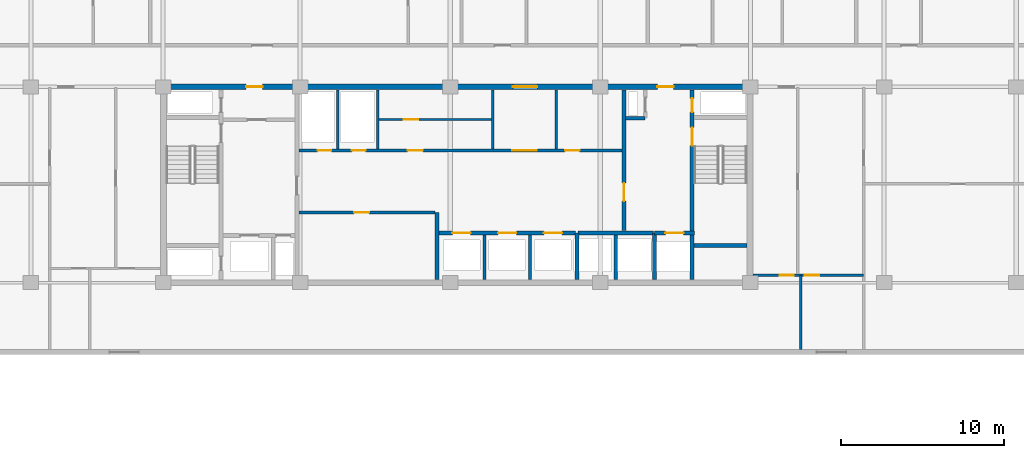
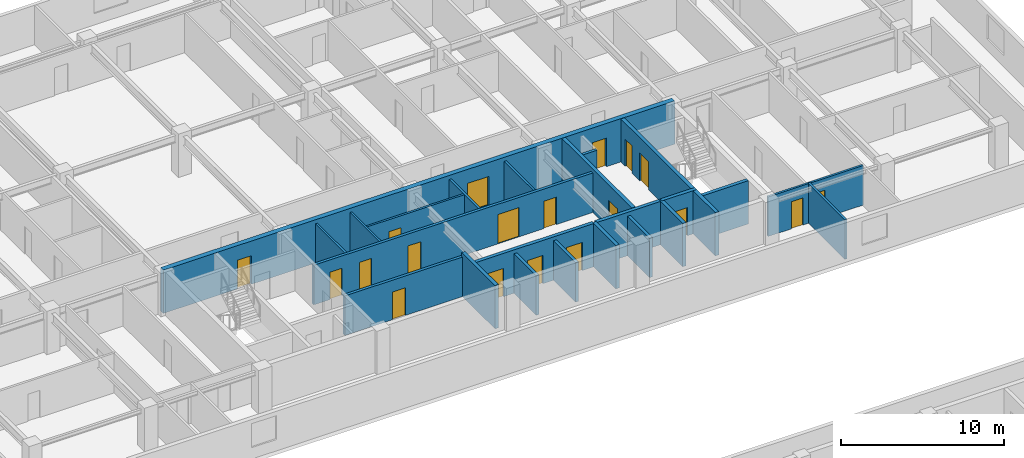
# One storey, part 11 of 21: 23 walls, 19 doors, 19 openings.
"""IFC4 building model written with IfcOpenShell, lengths in metres."""

from ifc_helpers import new_model, si_unit, direction, frame, frame_2d, origin, place, context, subcontext, project, spatial, rectangle, extrude, material, layer, layer_set, type_object, element, fill, save


model = new_model("IFC4")

# Units and contexts
model_context = context("Model", 3, precision=1e-05, world=origin(), true_north=direction((0.0, 1.0)))
body_context = subcontext(model_context, "Body", "Model", "MODEL_VIEW")
ifc_project = project(units=[si_unit("LENGTHUNIT", "METRE"), si_unit("AREAUNIT", "SQUARE_METRE"), si_unit("VOLUMEUNIT", "CUBIC_METRE"), si_unit("PLANEANGLEUNIT", "RADIAN"), si_unit("MASSUNIT", "GRAM", prefix="KILO")], contexts=[model_context])

# Site, building, storey
site_placement = place(None, origin())
site = spatial("IfcSite", under=ifc_project, at=site_placement, CompositionType="ELEMENT")
building_placement = place(site_placement, origin())
building = spatial("IfcBuilding", under=site, at=building_placement, Name="Korimba Cascade Residences", CompositionType="ELEMENT")
storey_placement = place(building_placement, frame((0.0, 0.0, 113.300048828125)))
storey = spatial("IfcBuildingStorey", under=building, at=storey_placement, Name="L32", CompositionType="ELEMENT", Elevation=113.300048828125)

# Wall, openings, doors
ifc_material_1 = material(Name="Concrete C65/80", Category="concrete")
ifc_layer_1 = layer(ifc_material_1, 0.35009765625)
ifc_layer_set_1 = layer_set([ifc_layer_1], Name="Concrete C65/80")
wall_type_1 = type_object("IfcWallType", Name="WAL-CORE-350", PredefinedType="SHEAR", material=ifc_layer_set_1)
wall_1_placement = place(storey_placement, frame((75.949951171875, 67.199951171875, 0.0), z_axis=(0.0, 0.0, 1.0), x_axis=(1.0, 0.0, 0.0)))
wall_1 = element("IfcWall", 1, at=wall_1_placement, inside=storey, type_object=wall_type_1, Name="L32 Core Shear Wall CW-L32-T1-N", PredefinedType="SHEAR", context=body_context, shape_type="SweptSolid", body=[
    extrude(rectangle(XDim=36.300048828125, YDim=0.35009765625, at=frame_2d((18.14990234375, 0.0))), origin(), (0.0, 0.0, 1.0), 3.25),
])
opening_1_placement = place(wall_1_placement, frame((5.25, 0.0, 0.0)))
opening_1 = element("IfcOpeningElement", 2, at=opening_1_placement, cuts=wall_1, Name="Opening D-FD5", PredefinedType="OPENING", context=body_context, shape_type="SweptSolid", body=[
    extrude(rectangle(XDim=1.0, YDim=2.14990234375, at=frame_2d((0.5, 1.074951171875))), frame((0.0, 0.18505859375, 0.0), z_axis=(0.0, -1.0, 0.0), x_axis=(1.0, 0.0, 0.0)), (0.0, 0.0, 1.0), 0.3701171875),
])
opening_2_placement = place(wall_1_placement, frame((21.60009765625, 0.0, 0.0)))
opening_2 = element("IfcOpeningElement", 3, at=opening_2_placement, cuts=wall_1, Name="Opening D-FD8", PredefinedType="OPENING", context=body_context, shape_type="SweptSolid", body=[
    extrude(rectangle(XDim=1.5, YDim=2.199951171875, at=frame_2d((0.75, 1.10009765625))), frame((0.0, 0.18505859375, 0.0), z_axis=(0.0, -1.0, 0.0), x_axis=(1.0, 0.0, 0.0)), (0.0, 0.0, 1.0), 0.3701171875),
])
opening_3_placement = place(wall_1_placement, frame((30.449951171875, 0.0, 0.0)))
opening_3 = element("IfcOpeningElement", 4, at=opening_3_placement, cuts=wall_1, Name="Opening D-FD5", PredefinedType="OPENING", context=body_context, shape_type="SweptSolid", body=[
    extrude(rectangle(XDim=1.0, YDim=2.14990234375, at=frame_2d((0.5, 1.074951171875))), frame((0.0, 0.18505859375, 0.0), z_axis=(0.0, -1.0, 0.0), x_axis=(1.0, 0.0, 0.0)), (0.0, 0.0, 1.0), 0.3701171875),
])
ifc_material_2 = material(Name="Fire-Rated Acoustic Timber Vestibule Door", Category="wood")
door_type_1 = type_object("IfcDoorType", Name="DR-FD90-1000", OperationType="NOTDEFINED", PredefinedType="DOOR", material=ifc_material_2)
door_1_placement = place(opening_1_placement, origin())
door_1 = element("IfcDoor", 5, at=door_1_placement, inside=storey, type_object=door_type_1, Name="L32 T1 West Core Vestibule Fire Door", OperationType="SINGLE_SWING_RIGHT", OverallHeight=2.14990234375, OverallWidth=1.0, PredefinedType="DOOR", context=body_context, shape_type="SweptSolid", body=[
    extrude(rectangle(XDim=1.0, YDim=2.14990234375, at=frame_2d((0.5, 1.074951171875))), frame((0.0, 0.02490234375, 0.0), z_axis=(0.0, -1.0, 0.0), x_axis=(1.0, 0.0, 0.0)), (0.0, 0.0, 1.0), 0.050048828125),
])
fill(opening_1, door_1)
door_2_placement = place(opening_3_placement, origin())
door_2 = element("IfcDoor", 6, at=door_2_placement, inside=storey, type_object=door_type_1, Name="L32 T1 East Firefighting Vestibule Fire Door", OperationType="SINGLE_SWING_LEFT", OverallHeight=2.14990234375, OverallWidth=1.0, PredefinedType="DOOR", context=body_context, shape_type="SweptSolid", body=[
    extrude(rectangle(XDim=1.0, YDim=2.14990234375, at=frame_2d((0.5, 1.074951171875))), frame((0.0, 0.02490234375, 0.0), z_axis=(0.0, -1.0, 0.0), x_axis=(1.0, 0.0, 0.0)), (0.0, 0.0, 1.0), 0.050048828125),
])
fill(opening_3, door_2)
ifc_material_3 = material(Name="Fire-Rated Glazed Lift Lobby Double Door", Category="glass")
door_type_2 = type_object("IfcDoorType", Name="DR-FD90-1500", OperationType="NOTDEFINED", PredefinedType="DOOR", material=ifc_material_3)
door_3_placement = place(opening_2_placement, origin())
door_3 = element("IfcDoor", 7, at=door_3_placement, inside=storey, type_object=door_type_2, Name="L32 T1 Lift Lobby Fire Door", OperationType="DOUBLE_DOOR_SINGLE_SWING", OverallHeight=2.199951171875, OverallWidth=1.5, PredefinedType="DOOR", context=body_context, shape_type="SweptSolid", body=[
    extrude(rectangle(XDim=1.5, YDim=2.199951171875, at=frame_2d((0.75, 1.10009765625))), frame((0.0, 0.02490234375, 0.0), z_axis=(0.0, -1.0, 0.0), x_axis=(1.0, 0.0, 0.0)), (0.0, 0.0, 1.0), 0.050048828125),
])
fill(opening_2, door_3)

# Walls
ifc_material_4 = material(Name="Insulated Acoustic Stud Partition", Category="gypsum")
ifc_layer_2 = layer(ifc_material_4, 0.14990234375)
ifc_layer_set_2 = layer_set([ifc_layer_2], Name="Insulated Acoustic Stud Partition")
wall_type_2 = type_object("IfcWallType", Name="WAL-PART-150", PredefinedType="PARTITIONING", material=ifc_layer_set_2)
for number, where, z_axis, x_axis, name in (
    (8, (86.800048828125, 63.39990234375, 0.0), (0.0, 0.0, 1.0), (0.0, 1.0, 0.0), "L32 Partition Wall CW-L32-T1-ERDIV"),
    (9, (89.25, 63.39990234375, 0.0), (0.0, 0.0, 1.0), (0.0, 1.0, 0.0), "L32 Partition Wall CW-L32-T1-PRDIV"),
):
    element("IfcWall", number, at=place(storey_placement, frame(where, z_axis=z_axis, x_axis=x_axis)), inside=storey, type_object=wall_type_2, Name=name, PredefinedType="PARTITIONING", context=body_context, shape_type="SweptSolid", body=[
        extrude(rectangle(XDim=3.60009765625, YDim=0.14990234375, at=frame_2d((1.800048828125, 0.0))), origin(), (0.0, 0.0, 1.0), 2.969970703125),
    ])

# Wall, opening, door
wall_2_placement = place(storey_placement, frame((89.25, 65.199951171875, 0.0), z_axis=(0.0, 0.0, 1.0), x_axis=(1.0, 0.0, 0.0)))
wall_2 = element("IfcWall", 10, at=wall_2_placement, inside=storey, type_object=wall_type_2, Name="L32 Partition Wall CW-L32-T1-CA2HZ", PredefinedType="PARTITIONING", context=body_context, shape_type="SweptSolid", body=[
    extrude(rectangle(XDim=7.050048828125, YDim=0.14990234375, at=frame_2d((3.52490234375, 0.0))), origin(), (0.0, 0.0, 1.0), 2.969970703125),
])
opening_4_placement = place(wall_2_placement, frame((1.60009765625, 0.0, 0.0)))
opening_4 = element("IfcOpeningElement", 11, at=opening_4_placement, cuts=wall_2, Name="Opening D-IN2", PredefinedType="OPENING", context=body_context, shape_type="SweptSolid", body=[
    extrude(rectangle(XDim=0.8798828125, YDim=2.06005859375, at=frame_2d((0.43994140625, 1.030029296875))), frame((0.0, 0.0849609375, 0.0), z_axis=(0.0, -1.0, 0.0), x_axis=(1.0, 0.0, 0.0)), (0.0, 0.0, 1.0), 0.169921875),
])
ifc_material_5 = material(Name="Acoustic Timber Bedroom Door", Category="wood")
door_type_3 = type_object("IfcDoorType", Name="DR-INT-880", OperationType="NOTDEFINED", PredefinedType="DOOR", material=ifc_material_5)
door_4_placement = place(opening_4_placement, origin())
door_4 = element("IfcDoor", 12, at=door_4_placement, inside=storey, type_object=door_type_3, Name="L32 Pram Store Door", OperationType="SINGLE_SWING_LEFT", OverallHeight=2.06005859375, OverallWidth=0.8798828125, PredefinedType="DOOR", context=body_context, shape_type="SweptSolid", body=[
    extrude(rectangle(XDim=0.8798828125, YDim=2.06005859375, at=frame_2d((0.43994140625, 1.030029296875))), frame((0.0, 0.02490234375, 0.0), z_axis=(0.0, -1.0, 0.0), x_axis=(1.0, 0.0, 0.0)), (0.0, 0.0, 1.0), 0.050048828125),
])
fill(opening_4, door_4)

# Walls
for number, where, z_axis, x_axis, name in (
    (13, (96.300048828125, 63.39990234375, 0.0), (0.0, 0.0, 1.0), (0.0, 1.0, 0.0), "L32 Partition Wall CW-L32-T1-THW"),
    (14, (100.199951171875, 63.39990234375, 0.0), (0.0, 0.0, 1.0), (0.0, 1.0, 0.0), "L32 Partition Wall CW-L32-T1-THE"),
):
    element("IfcWall", number, at=place(storey_placement, frame(where, z_axis=z_axis, x_axis=x_axis)), inside=storey, type_object=wall_type_2, Name=name, PredefinedType="PARTITIONING", context=body_context, shape_type="SweptSolid", body=[
        extrude(rectangle(XDim=3.60009765625, YDim=0.14990234375, at=frame_2d((1.800048828125, 0.0))), origin(), (0.0, 0.0, 1.0), 2.969970703125),
    ])
wall_3_placement = place(storey_placement, frame((115.199951171875, 51.10009765625, 0.0), z_axis=(0.0, 0.0, 1.0), x_axis=(0.0, 1.0, 0.0)))
element("IfcWall", 15, at=wall_3_placement, inside=storey, type_object=wall_type_2, Name="L32 Partition Wall WAL-L32-T1-FE-VS", PredefinedType="PARTITIONING", context=body_context, shape_type="SweptSolid", body=[
    extrude(rectangle(XDim=4.5498046875, YDim=0.14990234375, at=frame_2d((2.27490234375, 0.0))), origin(), (0.0, 0.0, 1.0), 2.969970703125),
])

# Wall, openings, doors
wall_4_placement = place(storey_placement, frame((112.27001953125, 55.64990234375, 0.0), z_axis=(0.0, 0.0, 1.0), x_axis=(1.0, 0.0, 0.0)))
wall_4 = element("IfcWall", 16, at=wall_4_placement, inside=storey, type_object=wall_type_2, Name="L32 Partition Wall WAL-L32-T1-FE-H", PredefinedType="PARTITIONING", context=body_context, shape_type="SweptSolid", body=[
    extrude(rectangle(XDim=6.760009765625, YDim=0.14990234375, at=frame_2d((3.3798828125, 0.0))), origin(), (0.0, 0.0, 1.0), 2.969970703125),
])
opening_5_placement = place(wall_4_placement, frame((1.6396484375, 0.0, 0.0)))
opening_5 = element("IfcOpeningElement", 17, at=opening_5_placement, cuts=wall_4, Name="Opening D-BT1", PredefinedType="OPENING", context=body_context, shape_type="SweptSolid", body=[
    extrude(rectangle(XDim=0.840087890625, YDim=2.0400390625, at=frame_2d((0.419921875, 1.02001953125))), frame((0.0, 0.0849609375, 0.0), z_axis=(0.0, -1.0, 0.0), x_axis=(1.0, 0.0, 0.0)), (0.0, 0.0, 1.0), 0.169921875),
])
opening_6_placement = place(wall_4_placement, frame((3.160400390625, 0.0, 0.0)))
opening_6 = element("IfcOpeningElement", 18, at=opening_6_placement, cuts=wall_4, Name="Opening D-IN2", PredefinedType="OPENING", context=body_context, shape_type="SweptSolid", body=[
    extrude(rectangle(XDim=0.8798828125, YDim=2.06005859375, at=frame_2d((0.43994140625, 1.030029296875))), frame((0.0, 0.0849609375, 0.0), z_axis=(0.0, -1.0, 0.0), x_axis=(1.0, 0.0, 0.0)), (0.0, 0.0, 1.0), 0.169921875),
])
ifc_material_6 = material(Name="Moisture-Resistant Bathroom Timber Door", Category="wood")
door_type_4 = type_object("IfcDoorType", Name="DR-INT-850", OperationType="NOTDEFINED", PredefinedType="DOOR", material=ifc_material_6)
door_5_placement = place(opening_5_placement, origin())
door_5 = element("IfcDoor", 19, at=door_5_placement, inside=storey, type_object=door_type_4, Name="L32-T1-FE Bathroom Door", OperationType="SINGLE_SWING_LEFT", OverallHeight=2.0400390625, OverallWidth=0.840087890625, PredefinedType="DOOR", context=body_context, shape_type="SweptSolid", body=[
    extrude(rectangle(XDim=0.840087890625, YDim=2.0400390625, at=frame_2d((0.419921875, 1.02001953125))), frame((0.0, 0.02490234375, 0.0), z_axis=(0.0, -1.0, 0.0), x_axis=(1.0, 0.0, 0.0)), (0.0, 0.0, 1.0), 0.050048828125),
])
fill(opening_5, door_5)
door_6_placement = place(opening_6_placement, origin())
door_6 = element("IfcDoor", 20, at=door_6_placement, inside=storey, type_object=door_type_3, Name="L32-T1-FE Bedroom Door", OperationType="SINGLE_SWING_RIGHT", OverallHeight=2.06005859375, OverallWidth=0.8798828125, PredefinedType="DOOR", context=body_context, shape_type="SweptSolid", body=[
    extrude(rectangle(XDim=0.8798828125, YDim=2.06005859375, at=frame_2d((0.43994140625, 1.030029296875))), frame((0.0, 0.02490234375, 0.0), z_axis=(0.0, -1.0, 0.0), x_axis=(1.0, 0.0, 0.0)), (0.0, 0.0, 1.0), 0.050048828125),
])
fill(opening_6, door_6)

# Wall, opening, door
ifc_material_7 = material(Name="Concrete C40/50", Category="concrete")
ifc_layer_3 = layer(ifc_material_7, 0.199951171875)
ifc_layer_set_3 = layer_set([ifc_layer_3], Name="Concrete C40/50")
wall_type_3 = type_object("IfcWallType", Name="WAL-PART-200", PredefinedType="PARTITIONING", material=ifc_layer_set_3)
wall_5_placement = place(storey_placement, frame((84.419921875, 59.5, 0.0), z_axis=(0.0, 0.0, 1.0), x_axis=(1.0, 0.0, 0.0)))
wall_5 = element("IfcWall", 21, at=wall_5_placement, inside=storey, type_object=wall_type_3, Name="L32 Partition Wall CW-L32-T1-B1RN", PredefinedType="PARTITIONING", context=body_context, shape_type="SweptSolid", body=[
    extrude(rectangle(XDim=8.360107421875, YDim=0.199951171875, at=frame_2d((4.18017578125, 0.0))), origin(), (0.0, 0.0, 1.0), 2.969970703125),
])
opening_7_placement = place(wall_5_placement, frame((3.39990234375, 0.0, 0.0)))
opening_7 = element("IfcOpeningElement", 22, at=opening_7_placement, cuts=wall_5, Name="Opening D-ST1", PredefinedType="OPENING", context=body_context, shape_type="SweptSolid", body=[
    extrude(rectangle(XDim=0.919921875, YDim=2.080078125, at=frame_2d((0.4599609375, 1.0400390625))), frame((0.0, 0.10986328125, 0.0), z_axis=(0.0, -1.0, 0.0), x_axis=(1.0, 0.0, 0.0)), (0.0, 0.0, 1.0), 0.219970703125),
])
ifc_material_8 = material(Name="Fire-Rated Core Store Door", Category="wood")
door_type_5 = type_object("IfcDoorType", Name="DR-FD60-920", OperationType="NOTDEFINED", PredefinedType="DOOR", material=ifc_material_8)
door_7_placement = place(opening_7_placement, origin())
door_7 = element("IfcDoor", 23, at=door_7_placement, inside=storey, type_object=door_type_5, Name="L32 Resident Storage Door", OperationType="SINGLE_SWING_RIGHT", OverallHeight=2.080078125, OverallWidth=0.919921875, PredefinedType="DOOR", context=body_context, shape_type="SweptSolid", body=[
    extrude(rectangle(XDim=0.919921875, YDim=2.080078125, at=frame_2d((0.4599609375, 1.0400390625))), frame((0.0, 0.02490234375, 0.0), z_axis=(0.0, -1.0, 0.0), x_axis=(1.0, 0.0, 0.0)), (0.0, 0.0, 1.0), 0.050048828125),
])
fill(opening_7, door_7)

# Walls
for number, where, z_axis, x_axis, name in (
    (24, (95.800048828125, 55.39990234375, 0.0), (0.0, 0.0, 1.0), (0.0, 1.0, 0.0), "L32 Partition Wall CW-L32-T1-B2D1"),
    (25, (98.60009765625, 55.39990234375, 0.0), (0.0, 0.0, 1.0), (0.0, 1.0, 0.0), "L32 Partition Wall CW-L32-T1-B2D2"),
    (26, (103.85009765625, 55.39990234375, 0.0), (0.0, 0.0, 1.0), (0.0, 1.0, 0.0), "L32 Partition Wall CW-L32-T1-B3D1"),
):
    element("IfcWall", number, at=place(storey_placement, frame(where, z_axis=z_axis, x_axis=x_axis)), inside=storey, type_object=wall_type_3, Name=name, PredefinedType="PARTITIONING", context=body_context, shape_type="SweptSolid", body=[
        extrude(rectangle(XDim=2.72021484375, YDim=0.199951171875, at=frame_2d((1.360107421875, 0.0))), origin(), (0.0, 0.0, 1.0), 2.969970703125),
    ])

# Wall, openings, doors
wall_6_placement = place(storey_placement, frame((84.419921875, 63.300048828125, 0.0), z_axis=(0.0, 0.0, 1.0), x_axis=(1.0, 0.0, 0.0)))
wall_6 = element("IfcWall", 27, at=wall_6_placement, inside=storey, type_object=wall_type_3, Name="L32 Partition Wall CW-L32-T1-SRVROW", PredefinedType="PARTITIONING", context=body_context, shape_type="SweptSolid", body=[
    extrude(rectangle(XDim=19.830078125, YDim=0.199951171875, at=frame_2d((9.9150390625, 0.0))), origin(), (0.0, 0.0, 1.0), 2.969970703125),
])
opening_8_placement = place(wall_6_placement, frame((1.14990234375, 0.0, 0.0)))
opening_8 = element("IfcOpeningElement", 28, at=opening_8_placement, cuts=wall_6, Name="Opening D-RS1", PredefinedType="OPENING", context=body_context, shape_type="SweptSolid", body=[
    extrude(rectangle(XDim=0.85009765625, YDim=2.050048828125, at=frame_2d((0.425048828125, 1.02490234375))), frame((0.0, 0.10986328125, 0.0), z_axis=(0.0, -1.0, 0.0), x_axis=(1.0, 0.0, 0.0)), (0.0, 0.0, 1.0), 0.219970703125),
])
opening_9_placement = place(wall_6_placement, frame((3.25, 0.0, 0.0)))
opening_9 = element("IfcOpeningElement", 29, at=opening_9_placement, cuts=wall_6, Name="Opening D-RS1", PredefinedType="OPENING", context=body_context, shape_type="SweptSolid", body=[
    extrude(rectangle(XDim=0.85009765625, YDim=2.050048828125, at=frame_2d((0.425048828125, 1.02490234375))), frame((0.0, 0.10986328125, 0.0), z_axis=(0.0, -1.0, 0.0), x_axis=(1.0, 0.0, 0.0)), (0.0, 0.0, 1.0), 0.219970703125),
])
opening_10_placement = place(wall_6_placement, frame((13.080078125, 0.0, 0.0)))
opening_10 = element("IfcOpeningElement", 30, at=opening_10_placement, cuts=wall_6, Name="Opening D-FD8", PredefinedType="OPENING", context=body_context, shape_type="SweptSolid", body=[
    extrude(rectangle(XDim=1.5, YDim=2.199951171875, at=frame_2d((0.75, 1.10009765625))), frame((0.0, 0.10986328125, 0.0), z_axis=(0.0, -1.0, 0.0), x_axis=(1.0, 0.0, 0.0)), (0.0, 0.0, 1.0), 0.219970703125),
])
opening_11_placement = place(wall_6_placement, frame((6.679931640625, 0.0, 0.0)))
opening_11 = element("IfcOpeningElement", 31, at=opening_11_placement, cuts=wall_6, Name="Opening D-IN1", PredefinedType="OPENING", context=body_context, shape_type="SweptSolid", body=[
    extrude(rectangle(XDim=0.919921875, YDim=2.080078125, at=frame_2d((0.4599609375, 1.0400390625))), frame((0.0, 0.10986328125, 0.0), z_axis=(0.0, -1.0, 0.0), x_axis=(1.0, 0.0, 0.0)), (0.0, 0.0, 1.0), 0.219970703125),
])
opening_12_placement = place(wall_6_placement, frame((16.330078125, 0.0, 0.0)))
opening_12 = element("IfcOpeningElement", 32, at=opening_12_placement, cuts=wall_6, Name="Opening D-IN2", PredefinedType="OPENING", context=body_context, shape_type="SweptSolid", body=[
    extrude(rectangle(XDim=0.8798828125, YDim=2.06005859375, at=frame_2d((0.43994140625, 1.030029296875))), frame((0.0, 0.10986328125, 0.0), z_axis=(0.0, -1.0, 0.0), x_axis=(1.0, 0.0, 0.0)), (0.0, 0.0, 1.0), 0.219970703125),
])
ifc_material_9 = material(Name="Fire-Rated Steel Riser Access Door", Category="steel")
door_type_6 = type_object("IfcDoorType", Name="DR-FD60-850", OperationType="NOTDEFINED", PredefinedType="DOOR", material=ifc_material_9)
door_8_placement = place(opening_8_placement, origin())
door_8 = element("IfcDoor", 33, at=door_8_placement, inside=storey, type_object=door_type_6, Name="L32 Electrical Riser Door", OperationType="SINGLE_SWING_RIGHT", OverallHeight=2.050048828125, OverallWidth=0.85009765625, PredefinedType="DOOR", context=body_context, shape_type="SweptSolid", body=[
    extrude(rectangle(XDim=0.85009765625, YDim=2.050048828125, at=frame_2d((0.425048828125, 1.02490234375))), frame((0.0, 0.02490234375, 0.0), z_axis=(0.0, -1.0, 0.0), x_axis=(1.0, 0.0, 0.0)), (0.0, 0.0, 1.0), 0.050048828125),
])
fill(opening_8, door_8)
door_9_placement = place(opening_9_placement, origin())
door_9 = element("IfcDoor", 34, at=door_9_placement, inside=storey, type_object=door_type_6, Name="L32 Plumbing Riser Door", OperationType="SINGLE_SWING_LEFT", OverallHeight=2.050048828125, OverallWidth=0.85009765625, PredefinedType="DOOR", context=body_context, shape_type="SweptSolid", body=[
    extrude(rectangle(XDim=0.85009765625, YDim=2.050048828125, at=frame_2d((0.425048828125, 1.02490234375))), frame((0.0, 0.02490234375, 0.0), z_axis=(0.0, -1.0, 0.0), x_axis=(1.0, 0.0, 0.0)), (0.0, 0.0, 1.0), 0.050048828125),
])
fill(opening_9, door_9)
door_10_placement = place(opening_10_placement, origin())
door_10 = element("IfcDoor", 35, at=door_10_placement, inside=storey, type_object=door_type_2, Name="L32 Lift Lobby Foyer Archway Door", OperationType="DOUBLE_DOOR_SINGLE_SWING", OverallHeight=2.199951171875, OverallWidth=1.5, PredefinedType="DOOR", context=body_context, shape_type="SweptSolid", body=[
    extrude(rectangle(XDim=1.5, YDim=2.199951171875, at=frame_2d((0.75, 1.10009765625))), frame((0.0, 0.02490234375, 0.0), z_axis=(0.0, -1.0, 0.0), x_axis=(1.0, 0.0, 0.0)), (0.0, 0.0, 1.0), 0.050048828125),
])
fill(opening_10, door_10)
door_11_placement = place(opening_12_placement, origin())
door_11 = element("IfcDoor", 36, at=door_11_placement, inside=storey, type_object=door_type_3, Name="L32 Staff WC Door", OperationType="SINGLE_SWING_LEFT", OverallHeight=2.06005859375, OverallWidth=0.8798828125, PredefinedType="DOOR", context=body_context, shape_type="SweptSolid", body=[
    extrude(rectangle(XDim=0.8798828125, YDim=2.06005859375, at=frame_2d((0.43994140625, 1.030029296875))), frame((0.0, 0.02490234375, 0.0), z_axis=(0.0, -1.0, 0.0), x_axis=(1.0, 0.0, 0.0)), (0.0, 0.0, 1.0), 0.050048828125),
])
fill(opening_12, door_11)
ifc_material_10 = material(Name="Acoustic Timber Living Door", Category="wood")
door_type_7 = type_object("IfcDoorType", Name="DR-INT-920", OperationType="NOTDEFINED", PredefinedType="DOOR", material=ifc_material_10)
door_12_placement = place(opening_11_placement, origin())
door_12 = element("IfcDoor", 37, at=door_12_placement, inside=storey, type_object=door_type_7, Name="L32 Locker Room Door", OperationType="SINGLE_SWING_RIGHT", OverallHeight=2.080078125, OverallWidth=0.919921875, PredefinedType="DOOR", context=body_context, shape_type="SweptSolid", body=[
    extrude(rectangle(XDim=0.919921875, YDim=2.080078125, at=frame_2d((0.4599609375, 1.0400390625))), frame((0.0, 0.02490234375, 0.0), z_axis=(0.0, -1.0, 0.0), x_axis=(1.0, 0.0, 0.0)), (0.0, 0.0, 1.0), 0.050048828125),
])
fill(opening_11, door_12)

# Walls
wall_7_placement = place(storey_placement, frame((104.449951171875, 65.280029296875, 0.0), z_axis=(0.0, 0.0, 1.0), x_axis=(1.0, 0.0, 0.0)))
element("IfcWall", 38, at=wall_7_placement, inside=storey, type_object=wall_type_3, Name="L32 Partition Wall CW-L32-T1-HYDW2S", PredefinedType="PARTITIONING", context=body_context, shape_type="SweptSolid", body=[
    extrude(rectangle(XDim=1.199951171875, YDim=0.199951171875, at=frame_2d((0.60009765625, 0.0))), origin(), (0.0, 0.0, 1.0), 2.969970703125),
])
ifc_material_11 = material(Name="Concrete C50/60", Category="concrete")
ifc_layer_4 = layer(ifc_material_11, 0.25)
ifc_layer_set_4 = layer_set([ifc_layer_4], Name="Concrete C50/60")
wall_type_4 = type_object("IfcWallType", Name="WAL-SHAFT-250", PredefinedType="SHEAR", material=ifc_layer_set_4)
wall_8_placement = place(storey_placement, frame((92.89990234375, 55.39990234375, 0.0), z_axis=(0.0, 0.0, 1.0), x_axis=(0.0, 1.0, 0.0)))
element("IfcWall", 39, at=wall_8_placement, inside=storey, type_object=wall_type_4, Name="L32 Core Shear Wall CW-L32-T1-B12DIV", PredefinedType="SHEAR", context=body_context, shape_type="SweptSolid", body=[
    extrude(rectangle(XDim=4.10009765625, YDim=0.25, at=frame_2d((2.050048828125, 0.0))), origin(), (0.0, 0.0, 1.0), 3.25),
])

# Wall, openings, doors
wall_9_placement = place(storey_placement, frame((93.02001953125, 58.25, 0.0), z_axis=(0.0, 0.0, 1.0), x_axis=(1.0, 0.0, 0.0)))
wall_9 = element("IfcWall", 40, at=wall_9_placement, inside=storey, type_object=wall_type_4, Name="L32 Core Shear Wall CW-L32-T1-B2N", PredefinedType="SHEAR", context=body_context, shape_type="SweptSolid", body=[
    extrude(rectangle(XDim=8.35986328125, YDim=0.25, at=frame_2d((4.179931640625, 0.0))), origin(), (0.0, 0.0, 1.0), 3.25),
])
opening_13_placement = place(wall_9_placement, frame((0.820068359375, 0.0, 0.0)))
opening_13 = element("IfcOpeningElement", 41, at=opening_13_placement, cuts=wall_9, Name="Opening LD-01", PredefinedType="OPENING", context=body_context, shape_type="SweptSolid", body=[
    extrude(rectangle(XDim=1.1201171875, YDim=2.1201171875, at=frame_2d((0.56005859375, 1.06005859375))), frame((0.0, 0.135009765625, 0.0), z_axis=(0.0, -1.0, 0.0), x_axis=(1.0, 0.0, 0.0)), (0.0, 0.0, 1.0), 0.27001953125),
])
opening_14_placement = place(wall_9_placement, frame((3.6201171875, 0.0, 0.0)))
opening_14 = element("IfcOpeningElement", 42, at=opening_14_placement, cuts=wall_9, Name="Opening LD-01", PredefinedType="OPENING", context=body_context, shape_type="SweptSolid", body=[
    extrude(rectangle(XDim=1.1201171875, YDim=2.1201171875, at=frame_2d((0.56005859375, 1.06005859375))), frame((0.0, 0.135009765625, 0.0), z_axis=(0.0, -1.0, 0.0), x_axis=(1.0, 0.0, 0.0)), (0.0, 0.0, 1.0), 0.27001953125),
])
opening_15_placement = place(wall_9_placement, frame((6.419921875, 0.0, 0.0)))
opening_15 = element("IfcOpeningElement", 43, at=opening_15_placement, cuts=wall_9, Name="Opening LD-01", PredefinedType="OPENING", context=body_context, shape_type="SweptSolid", body=[
    extrude(rectangle(XDim=1.1201171875, YDim=2.1201171875, at=frame_2d((0.56005859375, 1.06005859375))), frame((0.0, 0.135009765625, 0.0), z_axis=(0.0, -1.0, 0.0), x_axis=(1.0, 0.0, 0.0)), (0.0, 0.0, 1.0), 0.27001953125),
])
ifc_material_12 = material(Name="Stainless Steel Lift Landing Sliding Door", Category="steel")
door_type_8 = type_object("IfcDoorType", Name="DR-LIFT-1100", OperationType="NOTDEFINED", PredefinedType="DOOR", material=ifc_material_12)
door_13_placement = place(opening_13_placement, origin())
door_13 = element("IfcDoor", 44, at=door_13_placement, inside=storey, type_object=door_type_8, Name="L32 Lift Landing Door PL-W4", OperationType="SLIDING_TO_RIGHT", OverallHeight=2.1201171875, OverallWidth=1.1201171875, PredefinedType="DOOR", context=body_context, shape_type="SweptSolid", body=[
    extrude(rectangle(XDim=1.1201171875, YDim=2.1201171875, at=frame_2d((0.56005859375, 1.06005859375))), frame((0.0, 0.02490234375, 0.0), z_axis=(0.0, -1.0, 0.0), x_axis=(1.0, 0.0, 0.0)), (0.0, 0.0, 1.0), 0.050048828125),
])
fill(opening_13, door_13)
door_14_placement = place(opening_14_placement, origin())
door_14 = element("IfcDoor", 45, at=door_14_placement, inside=storey, type_object=door_type_8, Name="L32 Lift Landing Door PL-W5", OperationType="SLIDING_TO_RIGHT", OverallHeight=2.1201171875, OverallWidth=1.1201171875, PredefinedType="DOOR", context=body_context, shape_type="SweptSolid", body=[
    extrude(rectangle(XDim=1.1201171875, YDim=2.1201171875, at=frame_2d((0.56005859375, 1.06005859375))), frame((0.0, 0.02490234375, 0.0), z_axis=(0.0, -1.0, 0.0), x_axis=(1.0, 0.0, 0.0)), (0.0, 0.0, 1.0), 0.050048828125),
])
fill(opening_14, door_14)
door_15_placement = place(opening_15_placement, origin())
door_15 = element("IfcDoor", 46, at=door_15_placement, inside=storey, type_object=door_type_8, Name="L32 Lift Landing Door PL-W6", OperationType="SLIDING_TO_RIGHT", OverallHeight=2.1201171875, OverallWidth=1.1201171875, PredefinedType="DOOR", context=body_context, shape_type="SweptSolid", body=[
    extrude(rectangle(XDim=1.1201171875, YDim=2.1201171875, at=frame_2d((0.56005859375, 1.06005859375))), frame((0.0, 0.02490234375, 0.0), z_axis=(0.0, -1.0, 0.0), x_axis=(1.0, 0.0, 0.0)), (0.0, 0.0, 1.0), 0.050048828125),
])
fill(opening_15, door_15)

# Walls
wall_10_placement = place(storey_placement, frame((101.47998046875, 55.39990234375, 0.0), z_axis=(0.0, 0.0, 1.0), x_axis=(0.0, 1.0, 0.0)))
element("IfcWall", 47, at=wall_10_placement, inside=storey, type_object=wall_type_4, Name="L32 Core Shear Wall CW-L32-T1-B23DIV", PredefinedType="SHEAR", context=body_context, shape_type="SweptSolid", body=[
    extrude(rectangle(XDim=2.85009765625, YDim=0.25, at=frame_2d((1.425048828125, 0.0))), origin(), (0.0, 0.0, 1.0), 3.25),
])
wall_11_placement = place(storey_placement, frame((101.550048828125, 58.25, 0.0), z_axis=(0.0, 0.0, 1.0), x_axis=(1.0, 0.0, 0.0)))
element("IfcWall", 48, at=wall_11_placement, inside=storey, type_object=wall_type_4, Name="L32 Core Shear Wall CW-L32-T1-B3N", PredefinedType="SHEAR", context=body_context, shape_type="SweptSolid", body=[
    extrude(rectangle(XDim=4.599853515625, YDim=0.25, at=frame_2d((2.2998046875, 0.0))), origin(), (0.0, 0.0, 1.0), 3.25),
])
wall_12_placement = place(storey_placement, frame((106.219970703125, 55.39990234375, 0.0), z_axis=(0.0, 0.0, 1.0), x_axis=(0.0, 1.0, 0.0)))
element("IfcWall", 49, at=wall_12_placement, inside=storey, type_object=wall_type_4, Name="L32 Core Shear Wall CW-L32-T1-FF2W", PredefinedType="SHEAR", context=body_context, shape_type="SweptSolid", body=[
    extrude(rectangle(XDim=2.85009765625, YDim=0.25, at=frame_2d((1.425048828125, 0.0))), origin(), (0.0, 0.0, 1.0), 3.25),
])

# Wall, opening, door
wall_13_placement = place(storey_placement, frame((106.219970703125, 58.25, 0.0), z_axis=(0.0, 0.0, 1.0), x_axis=(1.0, 0.0, 0.0)))
wall_13 = element("IfcWall", 50, at=wall_13_placement, inside=storey, type_object=wall_type_4, Name="L32 Core Shear Wall CW-L32-T1-FF2N", PredefinedType="SHEAR", context=body_context, shape_type="SweptSolid", body=[
    extrude(rectangle(XDim=2.4599609375, YDim=0.25, at=frame_2d((1.22998046875, 0.0))), origin(), (0.0, 0.0, 1.0), 3.25),
])
opening_16_placement = place(wall_13_placement, frame((0.669921875, 0.0, 0.0)))
opening_16 = element("IfcOpeningElement", 51, at=opening_16_placement, cuts=wall_13, Name="Opening LD-01", PredefinedType="OPENING", context=body_context, shape_type="SweptSolid", body=[
    extrude(rectangle(XDim=1.1201171875, YDim=2.1201171875, at=frame_2d((0.56005859375, 1.06005859375))), frame((0.0, 0.135009765625, 0.0), z_axis=(0.0, -1.0, 0.0), x_axis=(1.0, 0.0, 0.0)), (0.0, 0.0, 1.0), 0.27001953125),
])
door_16_placement = place(opening_16_placement, origin())
door_16 = element("IfcDoor", 52, at=door_16_placement, inside=storey, type_object=door_type_8, Name="L32 Firefighting Lift Landing Door FFL-W2", OperationType="SLIDING_TO_RIGHT", OverallHeight=2.1201171875, OverallWidth=1.1201171875, PredefinedType="DOOR", context=body_context, shape_type="SweptSolid", body=[
    extrude(rectangle(XDim=1.1201171875, YDim=2.1201171875, at=frame_2d((0.56005859375, 1.06005859375))), frame((0.0, 0.02490234375, 0.0), z_axis=(0.0, -1.0, 0.0), x_axis=(1.0, 0.0, 0.0)), (0.0, 0.0, 1.0), 0.050048828125),
])
fill(opening_16, door_16)

wall_14_placement = place(storey_placement, frame((104.35009765625, 58.39990234375, 0.0), z_axis=(0.0, 0.0, 1.0), x_axis=(0.0, 1.0, 0.0)))
wall_14 = element("IfcWall", 53, at=wall_14_placement, inside=storey, type_object=wall_type_4, Name="L32 Core Shear Wall CW-L32-T1-LLEV", PredefinedType="SHEAR", context=body_context, shape_type="SweptSolid", body=[
    extrude(rectangle(XDim=8.60009765625, YDim=0.25, at=frame_2d((4.300048828125, 0.0))), origin(), (0.0, 0.0, 1.0), 3.25),
])
opening_17_placement = place(wall_14_placement, frame((1.800048828125, 0.0, 0.0)))
opening_17 = element("IfcOpeningElement", 54, at=opening_17_placement, cuts=wall_14, Name="Opening D-FD1", PredefinedType="OPENING", context=body_context, shape_type="SweptSolid", body=[
    extrude(rectangle(XDim=1.10009765625, YDim=2.10009765625, at=frame_2d((0.550048828125, 1.050048828125))), frame((0.0, 0.135009765625, 0.0), z_axis=(0.0, -1.0, 0.0), x_axis=(1.0, 0.0, 0.0)), (0.0, 0.0, 1.0), 0.27001953125),
])
ifc_material_13 = material(Name="Fire-Rated Steel Core Door", Category="steel")
door_type_9 = type_object("IfcDoorType", Name="DR-FD120-1100", OperationType="NOTDEFINED", PredefinedType="DOOR", material=ifc_material_13)
door_17_placement = place(opening_17_placement, origin())
door_17 = element("IfcDoor", 55, at=door_17_placement, inside=storey, type_object=door_type_9, Name="L32 Lift Lobby to East Firefighting Lobby Door", OperationType="SINGLE_SWING_LEFT", OverallHeight=2.10009765625, OverallWidth=1.10009765625, PredefinedType="DOOR", context=body_context, shape_type="SweptSolid", body=[
    extrude(rectangle(XDim=1.10009765625, YDim=2.10009765625, at=frame_2d((0.550048828125, 1.050048828125))), frame((0.0, 0.02490234375, 0.0), z_axis=(0.0, -1.0, 0.0), x_axis=(1.0, 0.0, 0.0)), (0.0, 0.0, 1.0), 0.050048828125),
])
fill(opening_17, door_17)

# Wall, openings, doors
wall_15_placement = place(storey_placement, frame((108.534912109375, 55.39990234375, 0.0), z_axis=(0.0, 0.0, 1.0), x_axis=(0.0, 1.0, 0.0)))
wall_15 = element("IfcWall", 56, at=wall_15_placement, inside=storey, type_object=wall_type_4, Name="L32 Core Shear Wall CW-L32-T1-STW2W", PredefinedType="SHEAR", context=body_context, shape_type="SweptSolid", body=[
    extrude(rectangle(XDim=11.60009765625, YDim=0.25, at=frame_2d((5.800048828125, 0.0))), origin(), (0.0, 0.0, 1.0), 3.25),
])
opening_18_placement = place(wall_15_placement, frame((8.199951171875, 0.0, 0.0)))
opening_18 = element("IfcOpeningElement", 57, at=opening_18_placement, cuts=wall_15, Name="Opening D-FD1", PredefinedType="OPENING", context=body_context, shape_type="SweptSolid", body=[
    extrude(rectangle(XDim=1.10009765625, YDim=2.10009765625, at=frame_2d((0.550048828125, 1.050048828125))), frame((0.0, 0.135009765625, 0.0), z_axis=(0.0, -1.0, 0.0), x_axis=(1.0, 0.0, 0.0)), (0.0, 0.0, 1.0), 0.27001953125),
])
opening_19_placement = place(wall_15_placement, frame((10.25, 0.0, 0.0)))
opening_19 = element("IfcOpeningElement", 58, at=opening_19_placement, cuts=wall_15, Name="Opening D-RS1", PredefinedType="OPENING", context=body_context, shape_type="SweptSolid", body=[
    extrude(rectangle(XDim=0.85009765625, YDim=2.050048828125, at=frame_2d((0.425048828125, 1.02490234375))), frame((0.0, 0.135009765625, 0.0), z_axis=(0.0, -1.0, 0.0), x_axis=(1.0, 0.0, 0.0)), (0.0, 0.0, 1.0), 0.27001953125),
])
door_18_placement = place(opening_18_placement, origin())
door_18 = element("IfcDoor", 59, at=door_18_placement, inside=storey, type_object=door_type_9, Name="L32 Fire Stair ST-W2 Door", OperationType="SINGLE_SWING_RIGHT", OverallHeight=2.10009765625, OverallWidth=1.10009765625, PredefinedType="DOOR", context=body_context, shape_type="SweptSolid", body=[
    extrude(rectangle(XDim=1.10009765625, YDim=2.10009765625, at=frame_2d((0.550048828125, 1.050048828125))), frame((0.0, 0.02490234375, 0.0), z_axis=(0.0, -1.0, 0.0), x_axis=(1.0, 0.0, 0.0)), (0.0, 0.0, 1.0), 0.050048828125),
])
fill(opening_18, door_18)
door_19_placement = place(opening_19_placement, origin())
door_19 = element("IfcDoor", 60, at=door_19_placement, inside=storey, type_object=door_type_6, Name="L32 East Riser Door", OperationType="SINGLE_SWING_LEFT", OverallHeight=2.050048828125, OverallWidth=0.85009765625, PredefinedType="DOOR", context=body_context, shape_type="SweptSolid", body=[
    extrude(rectangle(XDim=0.85009765625, YDim=2.050048828125, at=frame_2d((0.425048828125, 1.02490234375))), frame((0.0, 0.02490234375, 0.0), z_axis=(0.0, -1.0, 0.0), x_axis=(1.0, 0.0, 0.0)), (0.0, 0.0, 1.0), 0.050048828125),
])
fill(opening_19, door_19)

# Wall
wall_16_placement = place(storey_placement, frame((108.659912109375, 57.47509765625, 0.0), z_axis=(0.0, 0.0, 1.0), x_axis=(1.0, 0.0, 0.0)))
element("IfcWall", 61, at=wall_16_placement, inside=storey, type_object=wall_type_4, Name="L32 Core Shear Wall CW-L32-T1-STW2S", PredefinedType="SHEAR", context=body_context, shape_type="SweptSolid", body=[
    extrude(rectangle(XDim=3.239990234375, YDim=0.25, at=frame_2d((1.6201171875, 0.0))), origin(), (0.0, 0.0, 1.0), 3.25),
])

save(model, "model.ifc")
